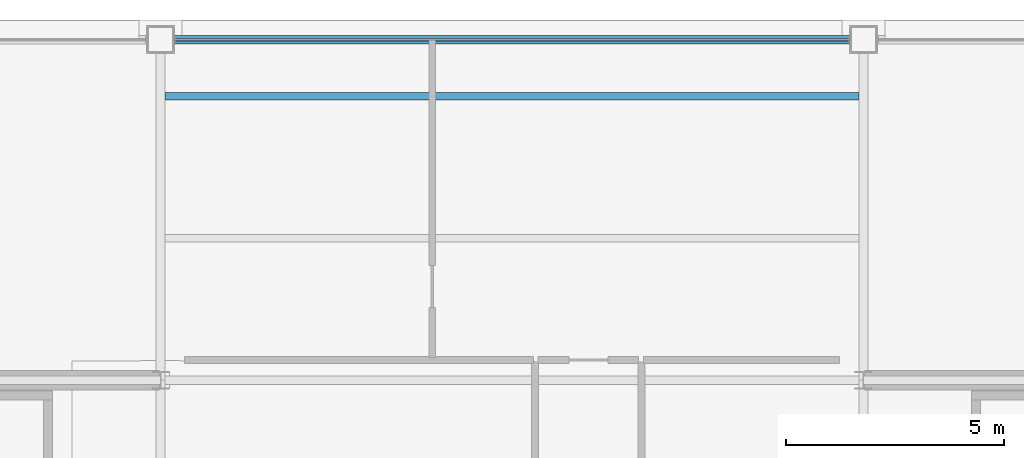
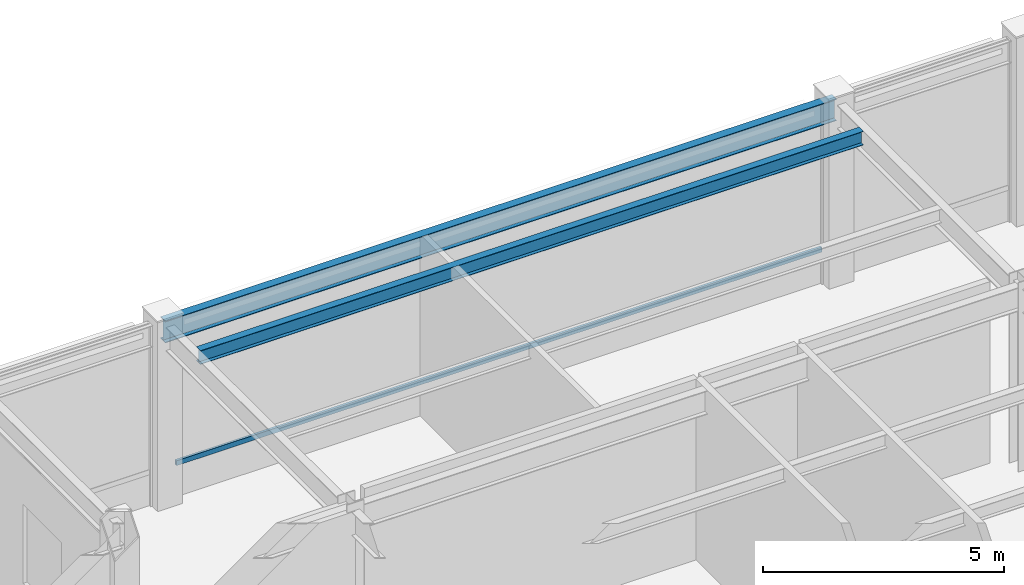
# One storey, part 14 of 21: 2 beams, 1 member, 1 element without a shape of its own.
"""IFC4 building model written with IfcOpenShell, lengths in metres."""

from ifc_helpers import new_model, si_unit, direction, frame, origin, origin_2d, place, context, subcontext, project, spatial, hollow_rectangle, i_section, extrude, material, layer, layer_set, material_profile, profile_set, type_object, element, aggregate, save


model = new_model("IFC4")

# Units and contexts
model_context = context("Model", 3, precision=1e-05, world=origin(), true_north=direction((0.0, 1.0)))
body_context = subcontext(model_context, "Body", "Model", "MODEL_VIEW")
ifc_project = project(units=[si_unit("LENGTHUNIT", "METRE"), si_unit("AREAUNIT", "SQUARE_METRE"), si_unit("VOLUMEUNIT", "CUBIC_METRE"), si_unit("PLANEANGLEUNIT", "RADIAN"), si_unit("MASSUNIT", "GRAM", prefix="KILO")], contexts=[model_context])

# Site, building, storey
site_placement = place(None, origin())
site = spatial("IfcSite", under=ifc_project, at=site_placement, CompositionType="ELEMENT")
building_placement = place(site_placement, origin())
building = spatial("IfcBuilding", under=site, at=building_placement, Name="Brelmoor Portico Tower", CompositionType="ELEMENT")
storey_placement = place(building_placement, frame((0.0, 0.0, 284.39990234375)))
storey = spatial("IfcBuildingStorey", under=building, at=storey_placement, Name="L75", CompositionType="ELEMENT", Elevation=284.39990234375)

# Beams
ifc_material_1 = material(Name="Steel Q355B", Category="steel")
ifc_material_profile_1 = material_profile(ifc_material_1, i_section(OverallWidth=0.175048828125, OverallDepth=0.35009765625, WebThickness=0.007080078125, FlangeThickness=0.010986328125, at=origin_2d()), Name="HN 350x175x7x11")
ifc_profile_set_1 = profile_set([ifc_material_profile_1], Name="Steel Q355B")
beam_type_1 = type_object("IfcBeamType", Name="BM-JS-350", PredefinedType="JOIST", material=ifc_profile_set_1)
beam_1_placement = place(storey_placement, frame((-7.949951171875, 16.25, 4.425048828125), z_axis=(1.0, 0.0, 0.0), x_axis=(0.0, 1.0, 0.0)))
element("IfcBeam", 1, at=beam_1_placement, inside=storey, type_object=beam_type_1, Name="L75 Secondary Composite Joist JS-C06", PredefinedType="JOIST", context=body_context, shape_type="SweptSolid", body=[
    extrude(i_section(OverallWidth=0.175048828125, OverallDepth=0.35009765625, WebThickness=0.007080078125, FlangeThickness=0.010986328125, at=origin_2d()), origin(), (0.0, 0.0, 1.0), 15.89990234375),
])
ifc_material_profile_2 = material_profile(ifc_material_1, i_section(OverallWidth=0.199951171875, OverallDepth=0.550048828125, WebThickness=0.010009765625, FlangeThickness=0.01611328125, at=origin_2d()), Name="HN 550x200x10x16")
ifc_profile_set_2 = profile_set([ifc_material_profile_2], Name="Steel Q355B")
beam_type_2 = type_object("IfcBeamType", Name="BM-SP-550", PredefinedType="SPANDREL", material=ifc_profile_set_2)
beam_2_placement = place(storey_placement, frame((-8.050048828125, 17.550048828125, 4.3251953125), z_axis=(1.0, 0.0, 0.0), x_axis=(0.0, 1.0, 0.0)))
element("IfcBeam", 2, at=beam_2_placement, inside=storey, type_object=beam_type_2, Name="L75 Perimeter Spandrel Beam SP-09", PredefinedType="SPANDREL", context=body_context, shape_type="SweptSolid", body=[
    extrude(i_section(OverallWidth=0.199951171875, OverallDepth=0.550048828125, WebThickness=0.010009765625, FlangeThickness=0.01611328125, at=origin_2d()), origin(), (0.0, 0.0, 1.0), 16.10009765625),
])

# Curtain wall, member
ifc_material_2 = material(Name="Anodised Aluminium Alloy 6063-T6", Category="aluminium")
ifc_layer = layer(ifc_material_2, 0.179931640625)
ifc_layer_set = layer_set([ifc_layer], Name="Anodised Aluminium Alloy 6063-T6")
curtain_wall_type = type_object("IfcCurtainWallType", Name="CW-TOWER-Z4", PredefinedType="NOTDEFINED", material=ifc_layer_set)
curtain_wall_placement = place(storey_placement, origin())
curtain_wall = element("IfcCurtainWall", 3, at=curtain_wall_placement, inside=storey, type_object=curtain_wall_type, Name="L75 Curtain Wall CW-L75-02-2", PredefinedType="NOTDEFINED")
ifc_material_profile_3 = material_profile(ifc_material_2, hollow_rectangle(XDim=0.06005859375, YDim=0.125, WallThickness=0.00341796875, at=origin_2d()), Name="ALU TRANSOM 60x125")
ifc_profile_set_3 = profile_set([ifc_material_profile_3], Name="Anodised Aluminium Alloy 6063-T6")
member_type = type_object("IfcMemberType", Name="MB-CW-TRAN-125", PredefinedType="USERDEFINED", material=ifc_profile_set_3)
member_placement = place(storey_placement, frame((-7.739990234375, 17.550048828125, 0.85009765625), z_axis=(1.0, 0.0, 0.0), x_axis=(0.0, 1.0, 0.0)))
member = element("IfcMember", 4, at=member_placement, type_object=member_type, Name="CW-L75-02-2 Transom 1-00", ObjectType="TRANSOM", PredefinedType="USERDEFINED", context=body_context, shape_type="SweptSolid", body=[
    extrude(hollow_rectangle(XDim=0.06005859375, YDim=0.125, WallThickness=0.00341796875, at=origin_2d()), origin(), (0.0, 0.0, 1.0), 15.47998046875),
])
aggregate(curtain_wall, [member])

save(model, "model.ifc")
